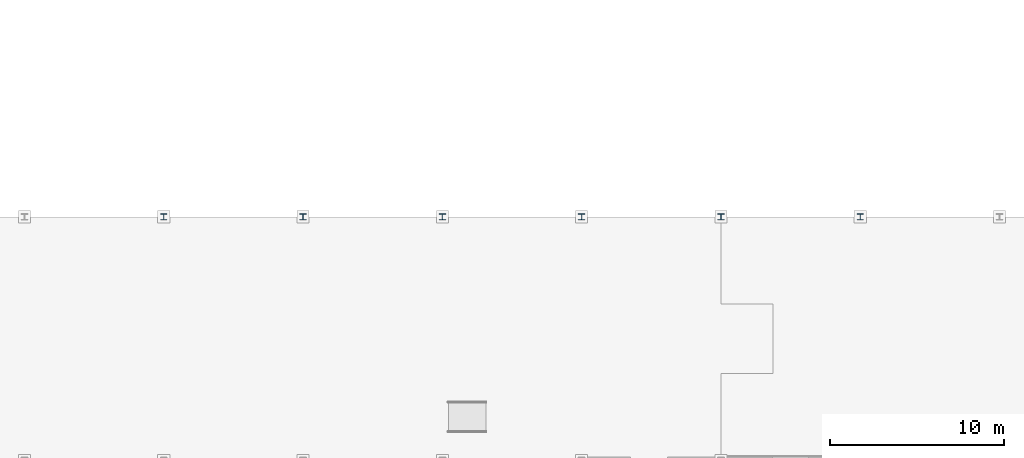
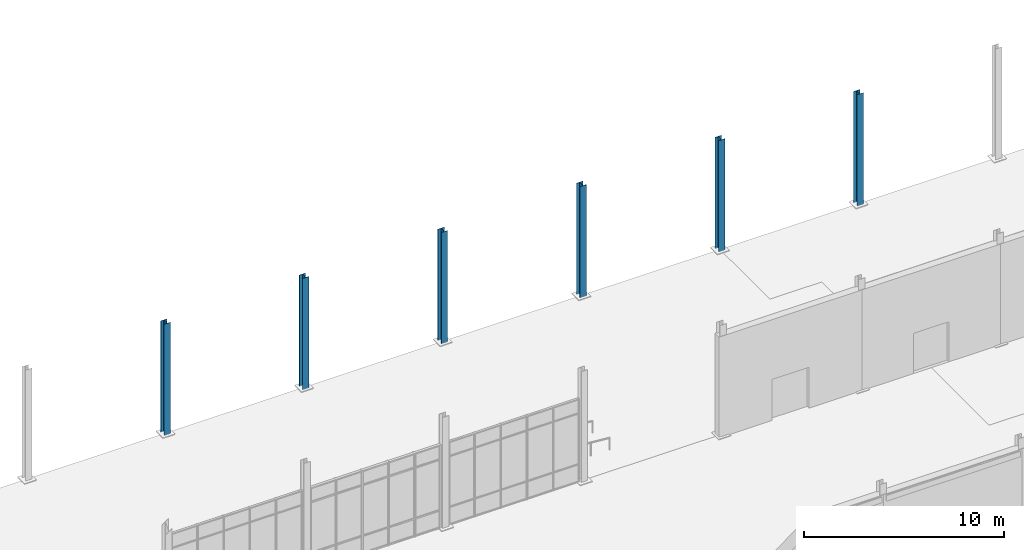
# One storey, part 15 of 140: 6 columns.
"""IFC4 building model written with IfcOpenShell, lengths in metres."""

from ifc_helpers import new_model, si_unit, direction, frame, origin, origin_2d, place, context, subcontext, project, spatial, i_section, extrude, material, material_profile, profile_set, type_object, element, save


model = new_model("IFC4")

# Units and contexts
model_context = context("Model", 3, precision=1e-05, world=origin(), true_north=direction((0.0, 1.0)))
body_context = subcontext(model_context, "Body", "Model", "MODEL_VIEW")
ifc_project = project(units=[si_unit("LENGTHUNIT", "METRE"), si_unit("AREAUNIT", "SQUARE_METRE"), si_unit("VOLUMEUNIT", "CUBIC_METRE"), si_unit("PLANEANGLEUNIT", "RADIAN"), si_unit("MASSUNIT", "GRAM", prefix="KILO")], contexts=[model_context])

# Site, building, storey
site_placement = place(None, origin())
site = spatial("IfcSite", under=ifc_project, at=site_placement, CompositionType="ELEMENT")
building_placement = place(site_placement, origin())
building = spatial("IfcBuilding", under=site, at=building_placement, Name="Verrall Gate Interchange", CompositionType="ELEMENT")
storey_placement = place(building_placement, origin())
storey = spatial("IfcBuildingStorey", under=building, at=storey_placement, Name="L01", CompositionType="ELEMENT", Elevation=0.0)

# Columns
ifc_material = material(Name="Structural Steel CSA G40.21 350W", Category="steel")
ifc_material_profile = material_profile(ifc_material, i_section(OverallWidth=0.368896484375, OverallDepth=0.35595703125, WebThickness=0.01123046875, FlangeThickness=0.01806640625, FilletRadius=0.014892578125, at=origin_2d()), Name="W360x134")
ifc_profile_set = profile_set([ifc_material_profile], Name="Structural Steel CSA G40.21 350W")
column_type = type_object("IfcColumnType", Name="C-08 Column W360x134", PredefinedType="COLUMN", material=ifc_profile_set)
for number, where, z_axis, x_axis, name in (
    (1, (68.0, 104.0, 0.0), (0.0, 0.0, 1.0), (1.0, 0.0, 0.0), "Bus Concourse Steel Column 1618"),
    (2, (76.0, 104.0, 0.0), (0.0, 0.0, 1.0), (1.0, 0.0, 0.0), "Bus Concourse Steel Column 1620"),
    (3, (84.0, 104.0, 0.0), (0.0, 0.0, 1.0), (1.0, 0.0, 0.0), "Bus Concourse Steel Column 1622"),
    (4, (92.0, 104.0, 0.0), (0.0, 0.0, 1.0), (1.0, 0.0, 0.0), "Bus Concourse Steel Column 1624"),
    (5, (100.0, 104.0, 0.0), (0.0, 0.0, 1.0), (1.0, 0.0, 0.0), "Bus Concourse Steel Column 1626"),
    (6, (108.0, 104.0, 0.0), (0.0, 0.0, 1.0), (1.0, 0.0, 0.0), "Bus Concourse Steel Column 1628"),
):
    element("IfcColumn", number, at=place(storey_placement, frame(where, z_axis=z_axis, x_axis=x_axis)), inside=storey, type_object=column_type, Name=name, PredefinedType="COLUMN", context=body_context, shape_type="SweptSolid", body=[
        extrude(i_section(OverallWidth=0.368896484375, OverallDepth=0.35595703125, WebThickness=0.01123046875, FlangeThickness=0.01806640625, FilletRadius=0.014892578125, at=origin_2d()), origin(), (0.0, 0.0, 1.0), 6.800048828125),
    ])

save(model, "model.ifc")
